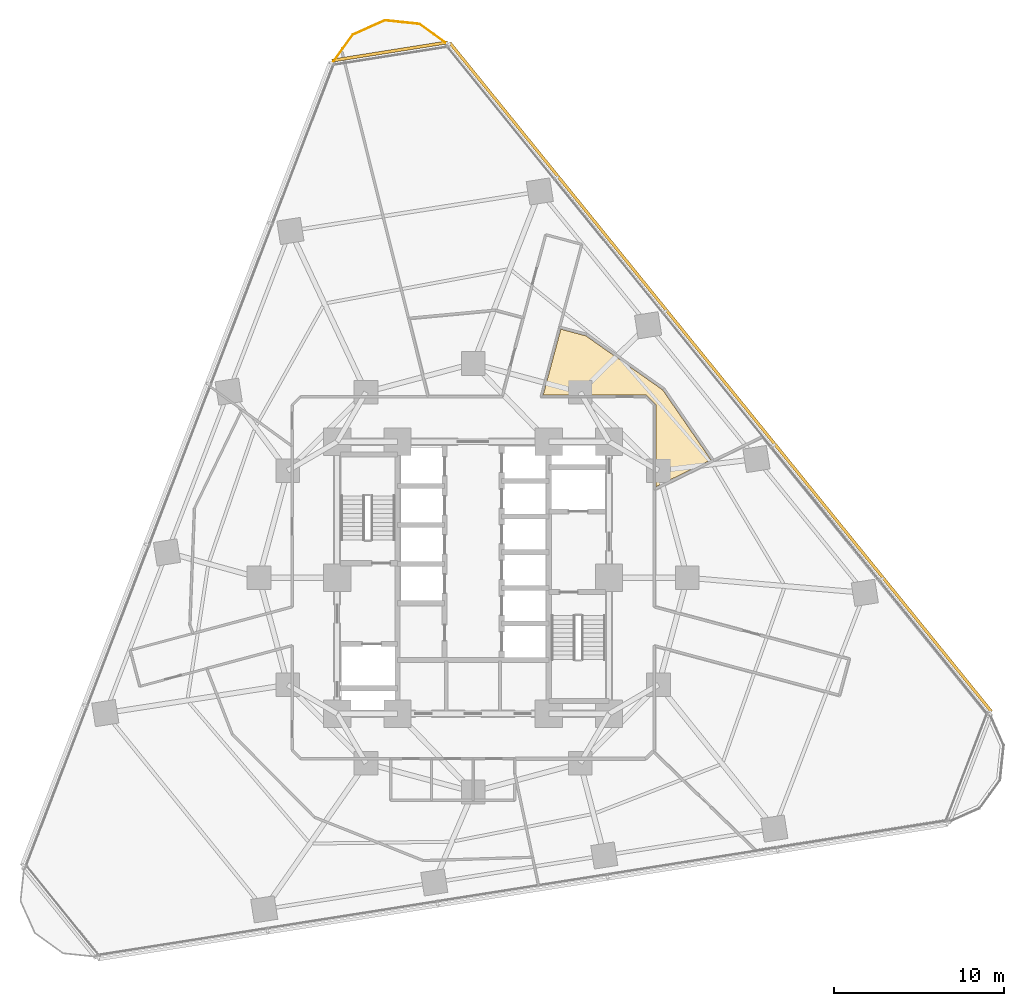
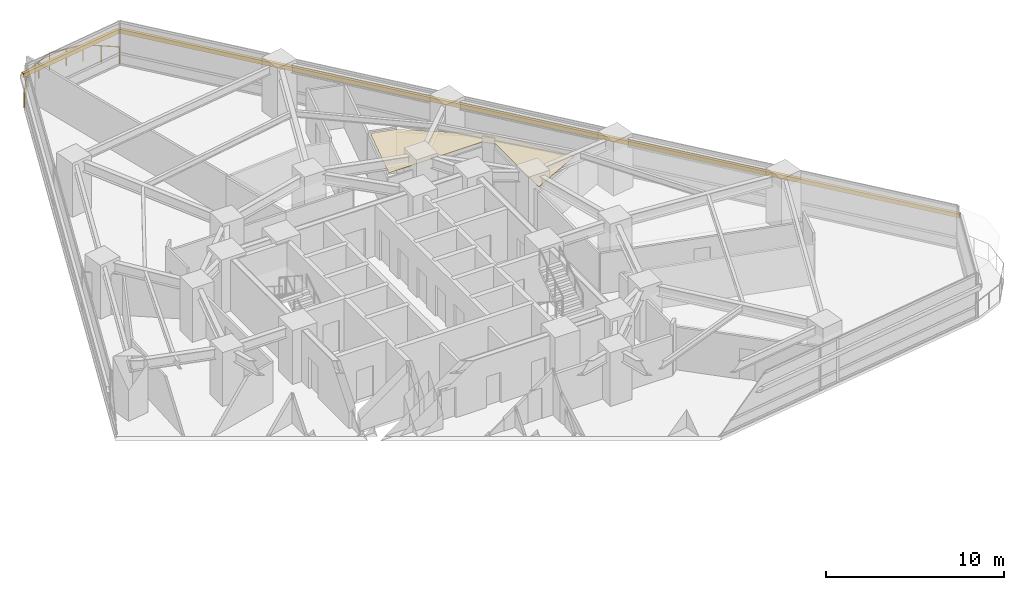
# One storey, part 14 of 14: 2 shading devices, 1 covering, 1 railing.
"""IFC4 building model written with IfcOpenShell, lengths in metres."""

from ifc_helpers import new_model, si_unit, direction, frame, origin, origin_2d, place, context, subcontext, project, spatial, polyline, rectangle, circle, outline, extrude, material, layer, layer_set, type_object, element, save


model = new_model("IFC4")

# Units and contexts
model_context = context("Model", 3, precision=1e-05, world=origin(), true_north=direction((0.0, 1.0)))
body_context = subcontext(model_context, "Body", "Model", "MODEL_VIEW")
ifc_project = project(units=[si_unit("LENGTHUNIT", "METRE"), si_unit("AREAUNIT", "SQUARE_METRE"), si_unit("VOLUMEUNIT", "CUBIC_METRE"), si_unit("PLANEANGLEUNIT", "RADIAN"), si_unit("MASSUNIT", "GRAM", prefix="KILO")], contexts=[model_context])

# Site, building, storey
site_placement = place(None, origin())
site = spatial("IfcSite", under=ifc_project, at=site_placement, CompositionType="ELEMENT")
building_placement = place(site_placement, origin())
building = spatial("IfcBuilding", under=site, at=building_placement, Name="Terralouvre Media Tower", CompositionType="ELEMENT")
storey_placement = place(building_placement, frame((0.0, 0.0, 70.39990234375)))
storey = spatial("IfcBuildingStorey", under=building, at=storey_placement, Name="L17", CompositionType="ELEMENT", Elevation=70.39990234375)

# Covering
ifc_material_1 = material(Name="Perforated aluminium acoustic ceiling baffle", Category="aluminium")
ifc_layer_1 = layer(ifc_material_1, 0.0400390625, Name="Perforated Acoustic Metal Tile Ceiling CL-AC1")
ifc_layer_set_1 = layer_set([ifc_layer_1], Name="Perforated aluminium acoustic ceiling baffle")
covering_type = type_object("IfcCoveringType", Name="Perforated Acoustic Metal Tile Ceiling CL-AC1", PredefinedType="CEILING", material=ifc_layer_set_1)
covering_placement = place(storey_placement, frame((0.0, 0.0, 2.97998046875), z_axis=(0.0, 0.0, 1.0), x_axis=(0.987688340595, 0.15643446504, 0.0)))
element("IfcCovering", 1, at=covering_placement, inside=storey, type_object=covering_type, Name="L17 Program Schedule Briefing Room 7 Acoustic Ceiling", PredefinedType="CEILING", context=body_context, shape_type="SweptSolid", body=[
    extrude(outline(polyline([(12.740478515625, 9.17138671875), (8.778076171875, 13.014892578125), (7.38330078125, 13.632568359375), (5.753173828125, 9.972900390625), (11.706787109375, 9.02978515625), (11.71630859375, 9.02783203125), (11.7255859375, 9.02490234375), (11.734619140625, 9.02099609375), (11.743408203125, 9.016357421875), (11.75146484375, 9.0107421875), (11.759033203125, 9.00439453125), (11.765869140625, 8.99755859375), (11.77197265625, 8.98974609375), (12.1875, 8.417724609375), (12.19287109375, 8.409423828125), (12.197509765625, 8.40087890625), (12.201171875, 8.391845703125), (12.203857421875, 8.38232421875), (12.205810546875, 8.372802734375), (12.20654296875, 8.363037109375), (12.20654296875, 8.35302734375), (12.20556640625, 8.34326171875), (11.455078125, 3.6064453125), (14.904296875, 4.66064453125), (12.740478515625, 9.17138671875)])), origin(), (0.0, 0.0, 1.0), 0.0400390625),
])

# Railing
ifc_material_2 = material(Name="Stainless steel 316 handrail and balustrade", Category="steel")
ifc_layer_2 = layer(ifc_material_2, 0.06005859375, Name="Roof Edge Safety Guardrail GR-ROOF1")
ifc_layer_set_2 = layer_set([ifc_layer_2], Name="Stainless steel 316 handrail and balustrade")
railing_type = type_object("IfcRailingType", Name="Roof Edge Safety Guardrail GR-ROOF1", PredefinedType="GUARDRAIL", material=ifc_layer_set_2)
railing_placement = place(storey_placement, frame((-1.47998046875, 31.36669921875, 0.0)))
element("IfcRailing", 2, at=railing_placement, inside=storey, type_object=railing_type, Name="L17 Wind-Corner Perimeter Safety Guardrail C2", PredefinedType="GUARDRAIL", context=body_context, shape_type="SweptSolid", body=[
    extrude(circle(Radius=0.02099609375, at=origin_2d()), frame((0.0, 0.0, 1.12890625), z_axis=(-0.808843708148, 0.588023686419, 0.0), x_axis=(-0.588023686419, -0.808843708148, 0.0)), (0.0, 0.0, 1.0), 2.059814453125),
    extrude(circle(Radius=0.02099609375, at=origin_2d()), frame((-1.666015625, 1.211181640625, 1.12890625), z_axis=(-0.994517140727, 0.104573690763, 0.0), x_axis=(-0.104573690763, -0.994517140727, 0.0)), (0.0, 0.0, 1.0), 2.05908203125),
    extrude(circle(Radius=0.02099609375, at=origin_2d()), frame((-3.7138671875, 1.426513671875, 1.12890625), z_axis=(-0.913542473205, -0.406743346167, 0.0), x_axis=(0.406743346167, -0.913542473205, 0.0)), (0.0, 0.0, 1.0), 2.059326171875),
    extrude(circle(Radius=0.02099609375, at=origin_2d()), frame((-5.59521484375, 0.5888671875, 1.12890625), z_axis=(-0.587544282361, -0.80919201446, 0.0), x_axis=(0.80919201446, -0.587544282361, 0.0)), (0.0, 0.0, 1.0), 2.059814453125),
    extrude(circle(Radius=0.01904296875, at=origin_2d()), origin(), (0.0, 0.0, 1.0), 1.10791015625),
    extrude(circle(Radius=0.01904296875, at=origin_2d()), frame((-0.8330078125, 0.60546875, 0.0)), (0.0, 0.0, 1.0), 1.10791015625),
    extrude(circle(Radius=0.01904296875, at=origin_2d()), frame((-1.666015625, 1.211181640625, 0.0)), (0.0, 0.0, 1.0), 1.10791015625),
    extrude(circle(Radius=0.01904296875, at=origin_2d()), frame((-2.68994140625, 1.31884765625, 0.0)), (0.0, 0.0, 1.0), 1.10791015625),
    extrude(circle(Radius=0.01904296875, at=origin_2d()), frame((-3.7138671875, 1.426513671875, 0.0)), (0.0, 0.0, 1.0), 1.10791015625),
    extrude(circle(Radius=0.01904296875, at=origin_2d()), frame((-4.654541015625, 1.0078125, 0.0)), (0.0, 0.0, 1.0), 1.10791015625),
    extrude(circle(Radius=0.01904296875, at=origin_2d()), frame((-5.59521484375, 0.5888671875, 0.0)), (0.0, 0.0, 1.0), 1.10791015625),
    extrude(circle(Radius=0.01904296875, at=origin_2d()), frame((-6.2001953125, -0.24462890625, 0.0)), (0.0, 0.0, 1.0), 1.10791015625),
    extrude(circle(Radius=0.01904296875, at=origin_2d()), frame((-6.805419921875, -1.077880859375, 0.0)), (0.0, 0.0, 1.0), 1.10791015625),
])

# Shading devices
ifc_material_3 = material(Name="Extruded terracotta baguette sunshade louvres", Category="masonry")
shading_device_type = type_object("IfcShadingDeviceType", Name="Terracotta Baguette Sunshade Louvre Screen TB-LV1", PredefinedType="USERDEFINED", material=ifc_material_3)
shading_device_1_placement = place(storey_placement, frame((14.5625, 11.79248046875, 2.02392578125), z_axis=(0.0, 0.0, 1.0), x_axis=(-0.629320350521, 0.777145994276, 0.0)))
element("IfcShadingDevice", 3, at=shading_device_1_placement, inside=storey, type_object=shading_device_type, Name="CW-L17-F1 Terracotta Baguette Sunshade Louvre", ObjectType="BAGUETTE", PredefinedType="USERDEFINED", context=body_context, shape_type="SweptSolid", body=[
    extrude(rectangle(XDim=50.639892578125, YDim=0.179931640625, at=origin_2d()), origin(), (0.0, 0.0, 1.0), 0.280029296875),
])
shading_device_2_placement = place(storey_placement, frame((-4.90380859375, 30.961181640625, 2.02392578125), z_axis=(0.0, 0.0, 1.0), x_axis=(-0.987688353034, -0.156434386502, 0.0)))
element("IfcShadingDevice", 4, at=shading_device_2_placement, inside=storey, type_object=shading_device_type, Name="CW-L17-C2 Terracotta Baguette Sunshade Louvre", ObjectType="BAGUETTE", PredefinedType="USERDEFINED", context=body_context, shape_type="SweptSolid", body=[
    extrude(rectangle(XDim=6.8935546875, YDim=0.179931640625, at=origin_2d()), origin(), (0.0, 0.0, 1.0), 0.280029296875),
])

save(model, "model.ifc")
